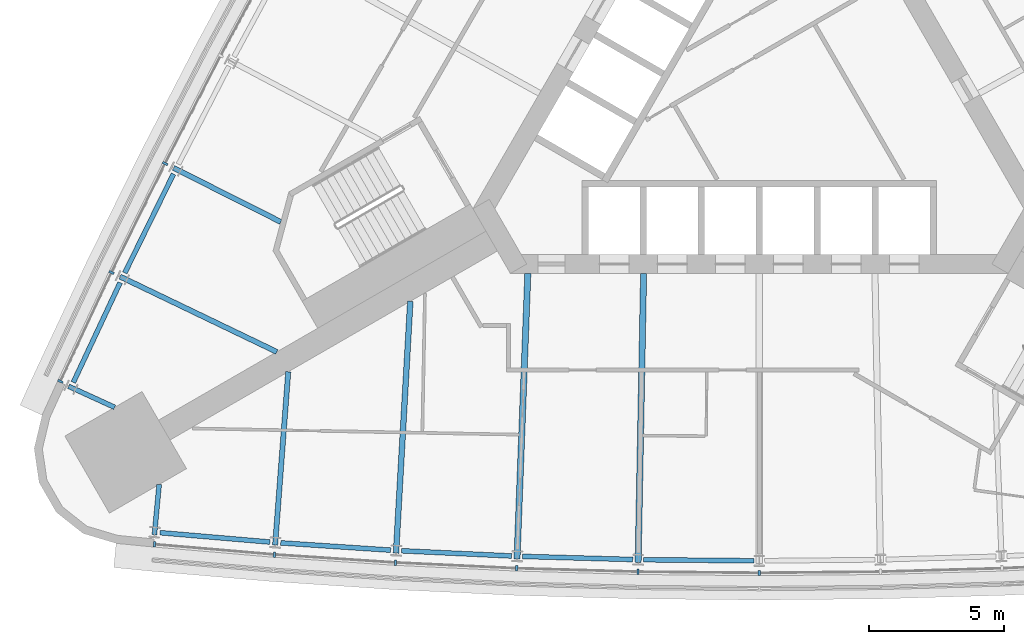
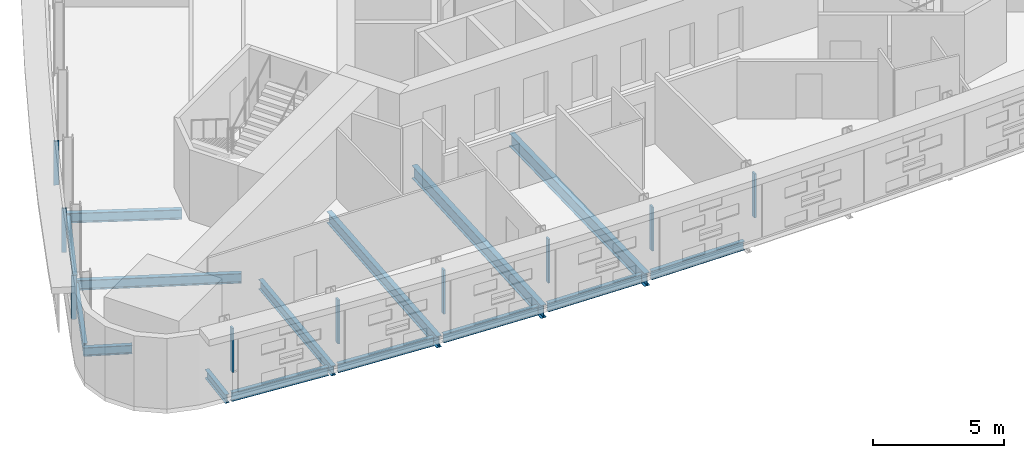
# One storey, part 2 of 15: 15 beams, 9 members, 2 elements without a shape of their own.
"""IFC4 building model written with IfcOpenShell, lengths in metres."""

from ifc_helpers import new_model, si_unit, direction, frame, origin, origin_2d, place, context, subcontext, project, spatial, rectangle, i_section, extrude, material, material_profile, profile_set, type_object, element, aggregate, save


model = new_model("IFC4")

# Units and contexts
model_context = context("Model", 3, precision=1e-05, world=origin(), true_north=direction((0.0, 1.0)))
body_context = subcontext(model_context, "Body", "Model", "MODEL_VIEW")
ifc_project = project(units=[si_unit("LENGTHUNIT", "METRE"), si_unit("AREAUNIT", "SQUARE_METRE"), si_unit("VOLUMEUNIT", "CUBIC_METRE"), si_unit("PLANEANGLEUNIT", "RADIAN"), si_unit("MASSUNIT", "GRAM", prefix="KILO")], contexts=[model_context])

# Site, building, storey
site_placement = place(None, origin())
site = spatial("IfcSite", under=ifc_project, at=site_placement, CompositionType="ELEMENT")
building_placement = place(site_placement, origin())
building = spatial("IfcBuilding", under=site, at=building_placement, Name="Noor Cloister Tower", CompositionType="ELEMENT")
storey_placement = place(building_placement, frame((0.0, 0.0, 49.199951171875)))
storey = spatial("IfcBuildingStorey", under=building, at=storey_placement, Name="L12", CompositionType="ELEMENT", Elevation=49.199951171875)

# Curtain wall, members
ifc_material_1 = material(Name="Aluminium 6063-T6 anodised", Category="aluminium")
curtain_wall_type = type_object("IfcCurtainWallType", Name="Ribbon curtain wall, lower tower CW1", PredefinedType="NOTDEFINED", material=ifc_material_1)
curtain_wall_1_placement = place(storey_placement, origin())
curtain_wall_1 = element("IfcCurtainWall", 1, at=curtain_wall_1_placement, inside=storey, type_object=curtain_wall_type, Name="CW1 L12 NW run 1", PredefinedType="NOTDEFINED")
ifc_material_2 = material(Name="Aluminium 6063-T6 anodised", Category="aluminium")
ifc_material_profile_1 = material_profile(ifc_material_2, rectangle(XDim=0.199951171875, YDim=0.080078125, at=origin_2d()), Name="200 x 80 mullion")
ifc_profile_set_1 = profile_set([ifc_material_profile_1], Name="Aluminium 6063-T6 anodised")
member_type = type_object("IfcMemberType", Name="Mullion CW1 80 x 200", PredefinedType="MULLION", material=ifc_profile_set_1)
member_1_placement = place(storey_placement, frame((-22.027587890625, -2.85595703125, 1.10009765625), z_axis=(0.0, 0.0, 1.0), x_axis=(0.89298996469, -0.450076574554, 0.0)))
member_1 = element("IfcMember", 2, at=member_1_placement, type_object=member_type, Name="CW1 mullion 9", PredefinedType="MULLION", context=body_context, shape_type="SweptSolid", body=[
    extrude(rectangle(XDim=0.199951171875, YDim=0.080078125, at=origin_2d()), origin(), (0.0, 0.0, 1.0), 2.050048828125),
])
member_2_placement = place(storey_placement, frame((-24.013916015625, -6.8916015625, 1.10009765625), z_axis=(0.0, 0.0, 1.0), x_axis=(0.901343302509, -0.433105357877, 0.0)))
member_2 = element("IfcMember", 3, at=member_2_placement, type_object=member_type, Name="CW1 mullion 10", PredefinedType="MULLION", context=body_context, shape_type="SweptSolid", body=[
    extrude(rectangle(XDim=0.199951171875, YDim=0.080078125, at=origin_2d()), origin(), (0.0, 0.0, 1.0), 2.050048828125),
])
member_3_placement = place(storey_placement, frame((-25.906982421875, -10.9287109375, 1.10009765625), z_axis=(0.0, 0.0, 1.0), x_axis=(0.905399212131, -0.424561263744, 0.0)))
member_3 = element("IfcMember", 4, at=member_3_placement, type_object=member_type, Name="CW1 mullion 11", PredefinedType="MULLION", context=body_context, shape_type="SweptSolid", body=[
    extrude(rectangle(XDim=0.199951171875, YDim=0.080078125, at=origin_2d()), origin(), (0.0, 0.0, 1.0), 2.050048828125),
])
aggregate(curtain_wall_1, [member_1, member_2, member_3])

curtain_wall_2_placement = place(storey_placement, origin())
curtain_wall_2 = element("IfcCurtainWall", 5, at=curtain_wall_2_placement, inside=storey, type_object=curtain_wall_type, Name="CW1 L12 S run 2", PredefinedType="NOTDEFINED")
member_4_placement = place(storey_placement, frame((-22.418212890625, -16.9716796875, 1.10009765625), z_axis=(0.0, 0.0, 1.0), x_axis=(0.085018766201, 0.996379350144, 0.0)))
member_4 = element("IfcMember", 6, at=member_4_placement, type_object=member_type, Name="CW1 mullion 1", PredefinedType="MULLION", context=body_context, shape_type="SweptSolid", body=[
    extrude(rectangle(XDim=0.199951171875, YDim=0.080078125, at=origin_2d()), origin(), (0.0, 0.0, 1.0), 2.050048828125),
])
member_5_placement = place(storey_placement, frame((-17.975341796875, -17.350830078125, 1.10009765625), z_axis=(0.0, 0.0, 1.0), x_axis=(0.075591408818, 0.997138876442, 0.0)))
member_5 = element("IfcMember", 7, at=member_5_placement, type_object=member_type, Name="CW1 mullion 2", PredefinedType="MULLION", context=body_context, shape_type="SweptSolid", body=[
    extrude(rectangle(XDim=0.199951171875, YDim=0.080078125, at=origin_2d()), origin(), (0.0, 0.0, 1.0), 2.050048828125),
])
member_6_placement = place(storey_placement, frame((-13.487060546875, -17.6484375, 1.10009765625), z_axis=(0.0, 0.0, 1.0), x_axis=(0.056717235133, 0.998390282023, 0.0)))
member_6 = element("IfcMember", 8, at=member_6_placement, type_object=member_type, Name="CW1 mullion 3", PredefinedType="MULLION", context=body_context, shape_type="SweptSolid", body=[
    extrude(rectangle(XDim=0.199951171875, YDim=0.080078125, at=origin_2d()), origin(), (0.0, 0.0, 1.0), 2.050048828125),
])
member_7_placement = place(storey_placement, frame((-8.994140625, -17.861083984375, 1.10009765625), z_axis=(0.0, 0.0, 1.0), x_axis=(0.037822767995, 0.999284463114, 0.0)))
member_7 = element("IfcMember", 9, at=member_7_placement, type_object=member_type, Name="CW1 mullion 4", PredefinedType="MULLION", context=body_context, shape_type="SweptSolid", body=[
    extrude(rectangle(XDim=0.199951171875, YDim=0.080078125, at=origin_2d()), origin(), (0.0, 0.0, 1.0), 2.050048828125),
])
member_8_placement = place(storey_placement, frame((-4.497802734375, -17.988525390625, 1.10009765625), z_axis=(0.0, 0.0, 1.0), x_axis=(0.018914767854, 0.999821099776, 0.0)))
member_8 = element("IfcMember", 10, at=member_8_placement, type_object=member_type, Name="CW1 mullion 5", PredefinedType="MULLION", context=body_context, shape_type="SweptSolid", body=[
    extrude(rectangle(XDim=0.199951171875, YDim=0.080078125, at=origin_2d()), origin(), (0.0, 0.0, 1.0), 2.050048828125),
])
member_9_placement = place(storey_placement, frame((0.0, -18.03125, 1.10009765625), z_axis=(0.0, 0.0, 1.0), x_axis=(0.0, 1.0, 0.0)))
member_9 = element("IfcMember", 11, at=member_9_placement, type_object=member_type, Name="CW1 mullion 6", PredefinedType="MULLION", context=body_context, shape_type="SweptSolid", body=[
    extrude(rectangle(XDim=0.199951171875, YDim=0.080078125, at=origin_2d()), origin(), (0.0, 0.0, 1.0), 2.050048828125),
])
aggregate(curtain_wall_2, [member_4, member_5, member_6, member_7, member_8, member_9])

# Beams
ifc_material_3 = material(Name="Steel ASTM A992 Gr 50", Category="steel")
ifc_material_profile_2 = material_profile(ifc_material_3, i_section(OverallWidth=0.177978515625, OverallDepth=0.406005859375, WebThickness=0.0078125, FlangeThickness=0.0126953125, FilletRadius=0.01025390625, at=origin_2d()), Name="W410x60")
ifc_profile_set_2 = profile_set([ifc_material_profile_2], Name="Steel ASTM A992 Gr 50")
beam_type_1 = type_object("IfcBeamType", Name="Radial beam W410x60", PredefinedType="BEAM", material=ifc_profile_set_2)
for number, where, z_axis, x_axis, name in (
    (12, (-25.6025390625, -11.111083984375, -0.40283203125), (0.909401352504, -0.415919679823, 0.0), (0.415919679823, 0.909401352504, 0.0), "Radial beam NW 11 L12"),
    (13, (-22.423583984375, -16.616943359375, -0.40283203125), (0.094348489313, 0.995539232057, 0.0), (-0.995539232057, 0.094348489313, 0.0), "Radial beam S 01 L12"),
):
    element("IfcBeam", number, at=place(storey_placement, frame(where, z_axis=z_axis, x_axis=x_axis)), inside=storey, type_object=beam_type_1, Name=name, PredefinedType="BEAM", context=body_context, shape_type="SweptSolid", body=[
        extrude(i_section(OverallWidth=0.177978515625, OverallDepth=0.406005859375, WebThickness=0.0078125, FlangeThickness=0.0126953125, FilletRadius=0.01025390625, at=origin_2d()), origin(), (0.0, 0.0, 1.0), 1.8759765625),
    ])
ifc_material_4 = material(Name="Steel ASTM A992 Gr 50", Category="steel")
ifc_material_profile_3 = material_profile(ifc_material_4, i_section(OverallWidth=0.19091796875, OverallDepth=0.45703125, WebThickness=0.009033203125, FlangeThickness=0.014404296875, FilletRadius=0.01025390625, at=origin_2d()), Name="W460x74")
ifc_profile_set_3 = profile_set([ifc_material_profile_3], Name="Steel ASTM A992 Gr 50")
beam_type_2 = type_object("IfcBeamType", Name="Radial beam W460x74", PredefinedType="BEAM", material=ifc_profile_set_3)
beam_1_placement = place(storey_placement, frame((-21.712158203125, -3.014892578125, -0.428466796875), z_axis=(0.892985724699, -0.450084986956, 0.0), x_axis=(0.450084986956, 0.892985724699, 0.0)))
element("IfcBeam", 14, at=beam_1_placement, inside=storey, type_object=beam_type_2, Name="Radial beam NW 09 L12", PredefinedType="BEAM", context=body_context, shape_type="SweptSolid", body=[
    extrude(i_section(OverallWidth=0.19091796875, OverallDepth=0.45703125, WebThickness=0.009033203125, FlangeThickness=0.014404296875, FilletRadius=0.01025390625, at=origin_2d()), origin(), (0.0, 0.0, 1.0), 4.45166015625),
])
beam_2_placement = place(storey_placement, frame((-23.69580078125, -7.04443359375, -0.428466796875), z_axis=(0.901339737011, -0.43311277802, 0.0), x_axis=(0.43311277802, 0.901339737011, 0.0)))
element("IfcBeam", 15, at=beam_2_placement, inside=storey, type_object=beam_type_2, Name="Radial beam NW 10 L12", PredefinedType="BEAM", context=body_context, shape_type="SweptSolid", body=[
    extrude(i_section(OverallWidth=0.19091796875, OverallDepth=0.45703125, WebThickness=0.009033203125, FlangeThickness=0.014404296875, FilletRadius=0.01025390625, at=origin_2d()), origin(), (0.0, 0.0, 1.0), 6.4453125),
])
beam_3_placement = place(storey_placement, frame((-17.948486328125, -16.998779296875, -0.428466796875), z_axis=(0.07556964555, 0.99714052604, 0.0), x_axis=(-0.99714052604, 0.07556964555, 0.0)))
element("IfcBeam", 16, at=beam_3_placement, inside=storey, type_object=beam_type_2, Name="Radial beam S 02 L12", PredefinedType="BEAM", context=body_context, shape_type="SweptSolid", body=[
    extrude(i_section(OverallWidth=0.19091796875, OverallDepth=0.45703125, WebThickness=0.009033203125, FlangeThickness=0.014404296875, FilletRadius=0.01025390625, at=origin_2d()), origin(), (0.0, 0.0, 1.0), 6.445068359375),
])
ifc_material_5 = material(Name="Steel ASTM A992 Gr 50", Category="steel")
ifc_material_profile_4 = material_profile(ifc_material_5, i_section(OverallWidth=0.208984375, OverallDepth=0.532958984375, WebThickness=0.01025390625, FlangeThickness=0.015625, FilletRadius=0.0126953125, at=origin_2d()), Name="W530x92")
ifc_profile_set_4 = profile_set([ifc_material_profile_4], Name="Steel ASTM A992 Gr 50")
beam_type_3 = type_object("IfcBeamType", Name="Radial beam W530x92", PredefinedType="BEAM", material=ifc_profile_set_4)
beam_4_placement = place(storey_placement, frame((-13.467041015625, -17.2958984375, -0.466552734375), z_axis=(0.05670628497, 0.998390904028, 0.0), x_axis=(-0.998390904028, 0.05670628497, 0.0)))
element("IfcBeam", 17, at=beam_4_placement, inside=storey, type_object=beam_type_3, Name="Radial beam S 03 L12", PredefinedType="BEAM", context=body_context, shape_type="SweptSolid", body=[
    extrude(i_section(OverallWidth=0.208984375, OverallDepth=0.532958984375, WebThickness=0.01025390625, FlangeThickness=0.015625, FilletRadius=0.0126953125, at=origin_2d()), origin(), (0.0, 0.0, 1.0), 9.351318359375),
])
ifc_material_6 = material(Name="Steel ASTM A992 Gr 50", Category="steel")
ifc_material_profile_5 = material_profile(ifc_material_6, i_section(OverallWidth=0.22802734375, OverallDepth=0.60205078125, WebThickness=0.010498046875, FlangeThickness=0.014892578125, FilletRadius=0.0126953125, at=origin_2d()), Name="W610x101")
ifc_profile_set_5 = profile_set([ifc_material_profile_5], Name="Steel ASTM A992 Gr 50")
beam_type_4 = type_object("IfcBeamType", Name="Radial beam W610x101", PredefinedType="BEAM", material=ifc_profile_set_5)
beam_5_placement = place(storey_placement, frame((-8.980712890625, -17.50830078125, -0.5009765625), z_axis=(0.037816754955, 0.999284690689, 0.0), x_axis=(-0.999284690689, 0.037816754955, 0.0)))
element("IfcBeam", 18, at=beam_5_placement, inside=storey, type_object=beam_type_4, Name="Radial beam S 04 L12", PredefinedType="BEAM", context=body_context, shape_type="SweptSolid", body=[
    extrude(i_section(OverallWidth=0.22802734375, OverallDepth=0.60205078125, WebThickness=0.010498046875, FlangeThickness=0.014892578125, FilletRadius=0.0126953125, at=origin_2d()), origin(), (0.0, 0.0, 1.0), 10.587646484375),
])
beam_6_placement = place(storey_placement, frame((-4.4912109375, -17.6357421875, -0.5009765625), z_axis=(0.018921323587, 0.999820975732, 0.0), x_axis=(-0.999820975732, 0.018921323587, 0.0)))
element("IfcBeam", 19, at=beam_6_placement, inside=storey, type_object=beam_type_4, Name="Radial beam S 05 L12", PredefinedType="BEAM", context=body_context, shape_type="SweptSolid", body=[
    extrude(i_section(OverallWidth=0.22802734375, OverallDepth=0.60205078125, WebThickness=0.010498046875, FlangeThickness=0.014892578125, FilletRadius=0.0126953125, at=origin_2d()), origin(), (0.0, 0.0, 1.0), 10.70947265625),
])
ifc_material_7 = material(Name="Steel ASTM A992 Gr 50", Category="steel")
ifc_material_profile_6 = material_profile(ifc_material_7, i_section(OverallWidth=0.177978515625, OverallDepth=0.406005859375, WebThickness=0.0078125, FlangeThickness=0.0126953125, FilletRadius=0.01025390625, at=origin_2d()), Name="W410x60")
ifc_profile_set_6 = profile_set([ifc_material_profile_6], Name="Steel ASTM A992 Gr 50")
beam_type_5 = type_object("IfcBeamType", Name="Spandrel beam W410x60", PredefinedType="SPANDREL", material=ifc_profile_set_6)
for number, where, z_axis, x_axis, name in (
    (20, (-21.71484375, -3.23974609375, -0.40283203125), (-0.441611503517, -0.897206375346, 0.0), (0.897206375346, -0.441611503517, 0.0), "Spandrel beam NW 09 L12"),
    (21, (-23.694091796875, -7.26953125, -0.40283203125), (-0.424579318133, -0.905390745818, 0.0), (0.905390745818, -0.424579318133, 0.0), "Spandrel beam NW 10 L12"),
):
    element("IfcBeam", number, at=place(storey_placement, frame(where, z_axis=z_axis, x_axis=x_axis)), inside=storey, type_object=beam_type_5, Name=name, PredefinedType="SPANDREL", context=body_context, shape_type="SweptSolid", body=[
        extrude(i_section(OverallWidth=0.177978515625, OverallDepth=0.406005859375, WebThickness=0.0078125, FlangeThickness=0.0126953125, FilletRadius=0.01025390625, at=origin_2d()), origin(), (0.0, 0.0, 1.0), 4.08544921875),
    ])
for number, where, z_axis, x_axis, name in (
    (22, (-22.21337890625, -16.53759765625, -0.40283203125), (0.996378105805, -0.085033348001, 0.0), (0.085033348001, 0.996378105805, 0.0), "Spandrel beam S 01 L12"),
    (23, (-17.73974609375, -16.91552734375, -0.40283203125), (0.997809679637, -0.066150156627, 0.0), (0.066150156627, 0.997809679637, 0.0), "Spandrel beam S 02 L12"),
    (24, (-13.259765625, -17.208740234375, -0.40283203125), (0.998882288685, -0.047267042974, 0.0), (0.047267042974, 0.998882288685, 0.0), "Spandrel beam S 03 L12"),
    (25, (-8.775146484375, -17.4169921875, -0.40283203125), (0.999597091295, -0.028384063747, 0.0), (0.028384063747, 0.999597091295, 0.0), "Spandrel beam S 04 L12"),
    (26, (-4.287353515625, -17.54052734375, -0.40283203125), (0.999954862727, -0.009501184605, 0.0), (0.009501184605, 0.999954862727, 0.0), "Spandrel beam S 05 L12"),
):
    element("IfcBeam", number, at=place(storey_placement, frame(where, z_axis=z_axis, x_axis=x_axis)), inside=storey, type_object=beam_type_5, Name=name, PredefinedType="SPANDREL", context=body_context, shape_type="SweptSolid", body=[
        extrude(i_section(OverallWidth=0.177978515625, OverallDepth=0.406005859375, WebThickness=0.0078125, FlangeThickness=0.0126953125, FilletRadius=0.01025390625, at=origin_2d()), origin(), (0.0, 0.0, 1.0), 4.085693359375),
    ])

save(model, "model.ifc")
